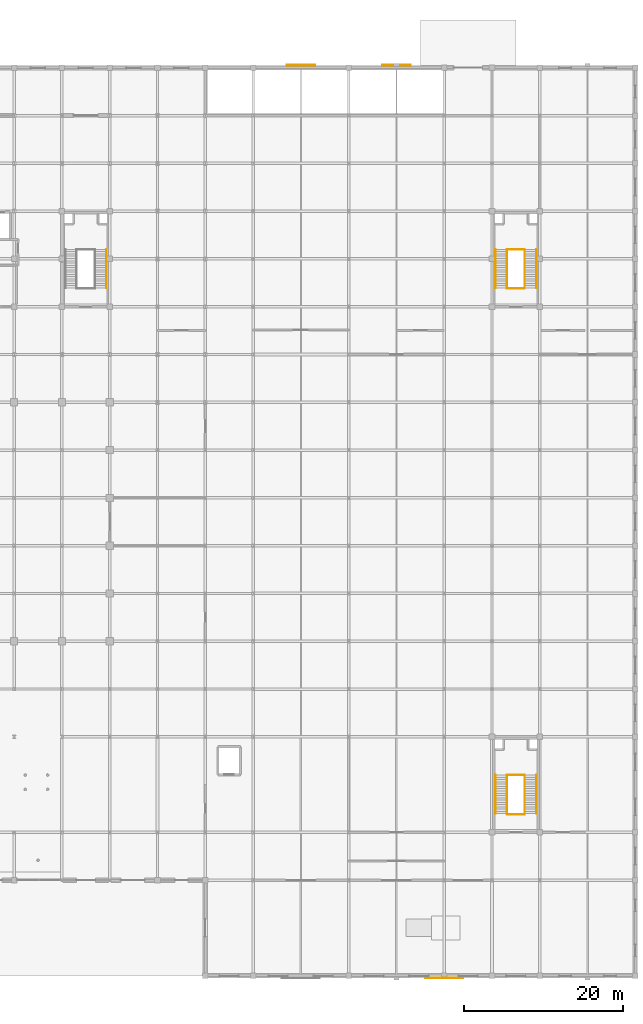
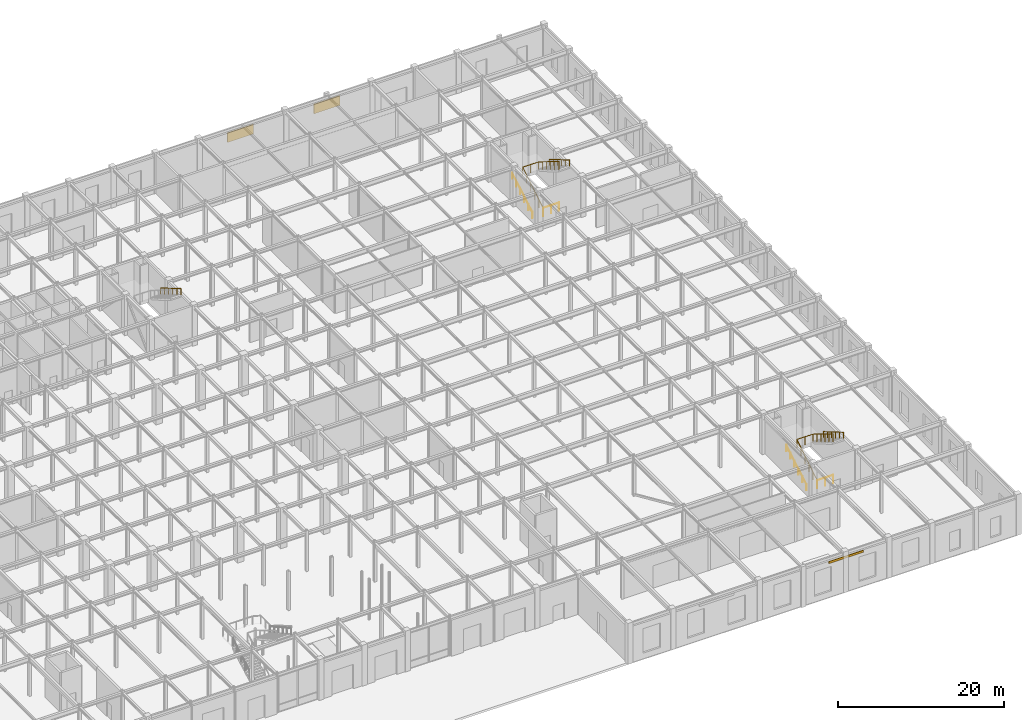
# One storey, part 51 of 51: 9 railings, 2 shading devices, 1 covering.
"""IFC4 building model written with IfcOpenShell, lengths in metres."""

from ifc_helpers import new_model, si_unit, direction, frame, origin, origin_2d, place, context, subcontext, project, spatial, rectangle, circle, extrude, material, layer, layer_set, type_object, element, save


model = new_model("IFC4")

# Units and contexts
model_context = context("Model", 3, precision=1e-05, world=origin(), true_north=direction((0.0, 1.0)))
body_context = subcontext(model_context, "Body", "Model", "MODEL_VIEW")
ifc_project = project(units=[si_unit("LENGTHUNIT", "METRE"), si_unit("AREAUNIT", "SQUARE_METRE"), si_unit("VOLUMEUNIT", "CUBIC_METRE"), si_unit("PLANEANGLEUNIT", "RADIAN"), si_unit("MASSUNIT", "GRAM", prefix="KILO")], contexts=[model_context])

# Site, building, storey
site_placement = place(None, origin())
site = spatial("IfcSite", under=ifc_project, at=site_placement, CompositionType="ELEMENT")
building_placement = place(site_placement, origin())
building = spatial("IfcBuilding", under=site, at=building_placement, Name="Zlatovratsky Civic Hall", CompositionType="ELEMENT")
storey_placement = place(building_placement, origin())
storey = spatial("IfcBuildingStorey", under=building, at=storey_placement, Name="L01", CompositionType="ELEMENT", Elevation=0.0)

# Covering
ifc_material_1 = material(Name="Polished Karelian granite ashlar", Category="masonry")
ifc_layer = layer(ifc_material_1, 0.070068359375)
ifc_layer_set = layer_set([ifc_layer], Name="Polished Karelian granite ashlar")
covering_type = type_object("IfcCoveringType", Name="Covering_PlinthCladding_70", PredefinedType="CLADDING", material=ifc_layer_set)
covering_placement = place(storey_placement, frame((144.0, -0.304931640625, 5.009765625), z_axis=(0.0, 0.0, 1.0), x_axis=(1.0, 0.0, 0.0)))
element("IfcCovering", 1, at=covering_placement, inside=storey, type_object=covering_type, Name="CLD-004", PredefinedType="CLADDING", context=body_context, shape_type="SweptSolid", body=[
    extrude(rectangle(XDim=4.800048828125, YDim=0.070068359375, at=origin_2d()), origin(), (0.0, 0.0, 1.0), 0.300048828125),
])

# Shading devices
ifc_material_2 = material(Name="Anodised bronze aluminium", Category="aluminium")
shading_device_type = type_object("IfcShadingDeviceType", Name="Louvre_BronzeAcoustic", PredefinedType="SHUTTER", material=ifc_material_2)
for number, where, z_axis, x_axis, name in (
    (2, (126.0, 114.330078125, 3.5), (0.0, 0.0, 1.0), (1.0, 0.0, 0.0), "LV-07"),
    (3, (138.0, 114.330078125, 3.5), (0.0, 0.0, 1.0), (1.0, 0.0, 0.0), "LV-08"),
):
    element("IfcShadingDevice", number, at=place(storey_placement, frame(where, z_axis=z_axis, x_axis=x_axis)), inside=storey, type_object=shading_device_type, Name=name, PredefinedType="SHUTTER", context=body_context, shape_type="SweptSolid", body=[
        extrude(rectangle(XDim=3.60009765625, YDim=0.1201171875, at=origin_2d()), origin(), (0.0, 0.0, 1.0), 1.39990234375),
    ])

# Railings
ifc_material_3 = material(Name="Brushed stainless steel AISI 304", Category="steel")
railing_type_1 = type_object("IfcRailingType", Name="Railing_Guardrail_1200", PredefinedType="GUARDRAIL", material=ifc_material_3)
railing_1_placement = place(storey_placement, frame((151.889892578125, 20.35009765625, 0.0)))
element("IfcRailing", 4, at=railing_1_placement, inside=storey, type_object=railing_type_1, Name="RL-0668", PredefinedType="GUARDRAIL", context=body_context, shape_type="SweptSolid", body=[
    extrude(circle(Radius=0.02392578125, at=origin_2d()), frame((0.0, 0.0, 1.17578125), z_axis=(0.0, 0.850207620408, 0.526447530339), x_axis=(-1.0, 0.0, 0.0)), (0.0, 0.0, 1.0), 5.698486328125),
    extrude(circle(Radius=0.02392578125, at=origin_2d()), frame((0.0, 4.844970703125, 4.17578125), z_axis=(1.0, 0.0, 0.0), x_axis=(0.0, 1.0, 0.0)), (0.0, 0.0, 1.0), 2.22021484375),
    extrude(circle(Radius=0.02392578125, at=origin_2d()), frame((2.22021484375, 4.844970703125, 4.17578125), z_axis=(0.0, -0.850207620408, 0.526447530339), x_axis=(1.0, 0.0, 0.0)), (0.0, 0.0, 1.0), 5.698486328125),
    extrude(circle(Radius=0.02099609375, at=origin_2d()), origin(), (0.0, 0.0, 1.0), 1.15185546875),
    extrude(circle(Radius=0.02099609375, at=origin_2d()), frame((0.0, 0.968994140625, 0.60009765625)), (0.0, 0.0, 1.0), 1.15185546875),
    extrude(circle(Radius=0.02099609375, at=origin_2d()), frame((0.0, 1.93798828125, 1.199951171875)), (0.0, 0.0, 1.0), 1.15185546875),
    extrude(circle(Radius=0.02099609375, at=origin_2d()), frame((0.0, 2.906982421875, 1.800048828125)), (0.0, 0.0, 1.0), 1.15185546875),
    extrude(circle(Radius=0.02099609375, at=origin_2d()), frame((0.0, 3.8759765625, 2.39990234375)), (0.0, 0.0, 1.0), 1.15185546875),
    extrude(circle(Radius=0.02099609375, at=origin_2d()), frame((0.0, 4.844970703125, 3.0)), (0.0, 0.0, 1.0), 1.15185546875),
    extrude(circle(Radius=0.02099609375, at=origin_2d()), frame((1.110107421875, 4.844970703125, 3.0)), (0.0, 0.0, 1.0), 1.15185546875),
    extrude(circle(Radius=0.02099609375, at=origin_2d()), frame((2.22021484375, 4.844970703125, 3.0)), (0.0, 0.0, 1.0), 1.15185546875),
    extrude(circle(Radius=0.02099609375, at=origin_2d()), frame((2.22021484375, 3.8759765625, 3.60009765625)), (0.0, 0.0, 1.0), 1.15185546875),
    extrude(circle(Radius=0.02099609375, at=origin_2d()), frame((2.22021484375, 2.906982421875, 4.199951171875)), (0.0, 0.0, 1.0), 1.15185546875),
    extrude(circle(Radius=0.02099609375, at=origin_2d()), frame((2.22021484375, 1.93798828125, 4.800048828125)), (0.0, 0.0, 1.0), 1.15185546875),
    extrude(circle(Radius=0.02099609375, at=origin_2d()), frame((2.22021484375, 0.968994140625, 5.39990234375)), (0.0, 0.0, 1.0), 1.15185546875),
    extrude(circle(Radius=0.02099609375, at=origin_2d()), frame((2.22021484375, 0.0, 6.0)), (0.0, 0.0, 1.0), 1.15185546875),
])
railing_2_placement = place(storey_placement, frame((151.889892578125, 20.27001953125, 0.0)))
element("IfcRailing", 5, at=railing_2_placement, inside=storey, type_object=railing_type_1, Name="RL-0671", PredefinedType="GUARDRAIL", context=body_context, shape_type="SweptSolid", body=[
    extrude(circle(Radius=0.02392578125, at=origin_2d()), frame((0.0, 0.0, 1.17578125), z_axis=(1.0, 0.0, 0.0), x_axis=(0.0, 1.0, 0.0)), (0.0, 0.0, 1.0), 2.22021484375),
    extrude(circle(Radius=0.02099609375, at=origin_2d()), origin(), (0.0, 0.0, 1.0), 1.15185546875),
    extrude(circle(Radius=0.02099609375, at=origin_2d()), frame((1.110107421875, 0.0, 0.0)), (0.0, 0.0, 1.0), 1.15185546875),
    extrude(circle(Radius=0.02099609375, at=origin_2d()), frame((2.22021484375, 0.0, 0.0)), (0.0, 0.0, 1.0), 1.15185546875),
])
railing_3_placement = place(storey_placement, frame((151.889892578125, 86.35009765625, 0.0)))
element("IfcRailing", 6, at=railing_3_placement, inside=storey, type_object=railing_type_1, Name="RL-0700", PredefinedType="GUARDRAIL", context=body_context, shape_type="SweptSolid", body=[
    extrude(circle(Radius=0.02392578125, at=origin_2d()), frame((0.0, 0.0, 1.17578125), z_axis=(0.0, 0.850207620408, 0.526447530339), x_axis=(-1.0, 0.0, 0.0)), (0.0, 0.0, 1.0), 5.698486328125),
    extrude(circle(Radius=0.02392578125, at=origin_2d()), frame((0.0, 4.844970703125, 4.17578125), z_axis=(1.0, 0.0, 0.0), x_axis=(0.0, 1.0, 0.0)), (0.0, 0.0, 1.0), 2.22021484375),
    extrude(circle(Radius=0.02392578125, at=origin_2d()), frame((2.22021484375, 4.844970703125, 4.17578125), z_axis=(0.0, -0.850207620408, 0.526447530339), x_axis=(1.0, 0.0, 0.0)), (0.0, 0.0, 1.0), 5.698486328125),
    extrude(circle(Radius=0.02099609375, at=origin_2d()), origin(), (0.0, 0.0, 1.0), 1.15185546875),
    extrude(circle(Radius=0.02099609375, at=origin_2d()), frame((0.0, 0.968994140625, 0.60009765625)), (0.0, 0.0, 1.0), 1.15185546875),
    extrude(circle(Radius=0.02099609375, at=origin_2d()), frame((0.0, 1.93798828125, 1.199951171875)), (0.0, 0.0, 1.0), 1.15185546875),
    extrude(circle(Radius=0.02099609375, at=origin_2d()), frame((0.0, 2.906982421875, 1.800048828125)), (0.0, 0.0, 1.0), 1.15185546875),
    extrude(circle(Radius=0.02099609375, at=origin_2d()), frame((0.0, 3.8759765625, 2.39990234375)), (0.0, 0.0, 1.0), 1.15185546875),
    extrude(circle(Radius=0.02099609375, at=origin_2d()), frame((0.0, 4.844970703125, 3.0)), (0.0, 0.0, 1.0), 1.15185546875),
    extrude(circle(Radius=0.02099609375, at=origin_2d()), frame((1.110107421875, 4.844970703125, 3.0)), (0.0, 0.0, 1.0), 1.15185546875),
    extrude(circle(Radius=0.02099609375, at=origin_2d()), frame((2.22021484375, 4.844970703125, 3.0)), (0.0, 0.0, 1.0), 1.15185546875),
    extrude(circle(Radius=0.02099609375, at=origin_2d()), frame((2.22021484375, 3.8759765625, 3.60009765625)), (0.0, 0.0, 1.0), 1.15185546875),
    extrude(circle(Radius=0.02099609375, at=origin_2d()), frame((2.22021484375, 2.906982421875, 4.199951171875)), (0.0, 0.0, 1.0), 1.15185546875),
    extrude(circle(Radius=0.02099609375, at=origin_2d()), frame((2.22021484375, 1.93798828125, 4.800048828125)), (0.0, 0.0, 1.0), 1.15185546875),
    extrude(circle(Radius=0.02099609375, at=origin_2d()), frame((2.22021484375, 0.968994140625, 5.39990234375)), (0.0, 0.0, 1.0), 1.15185546875),
    extrude(circle(Radius=0.02099609375, at=origin_2d()), frame((2.22021484375, 0.0, 6.0)), (0.0, 0.0, 1.0), 1.15185546875),
])
railing_4_placement = place(storey_placement, frame((151.889892578125, 86.27001953125, 0.0)))
element("IfcRailing", 7, at=railing_4_placement, inside=storey, type_object=railing_type_1, Name="RL-0703", PredefinedType="GUARDRAIL", context=body_context, shape_type="SweptSolid", body=[
    extrude(circle(Radius=0.02392578125, at=origin_2d()), frame((0.0, 0.0, 1.17578125), z_axis=(1.0, 0.0, 0.0), x_axis=(0.0, 1.0, 0.0)), (0.0, 0.0, 1.0), 2.22021484375),
    extrude(circle(Radius=0.02099609375, at=origin_2d()), origin(), (0.0, 0.0, 1.0), 1.15185546875),
    extrude(circle(Radius=0.02099609375, at=origin_2d()), frame((1.110107421875, 0.0, 0.0)), (0.0, 0.0, 1.0), 1.15185546875),
    extrude(circle(Radius=0.02099609375, at=origin_2d()), frame((2.22021484375, 0.0, 0.0)), (0.0, 0.0, 1.0), 1.15185546875),
])
railing_type_2 = type_object("IfcRailingType", Name="Railing_Handrail_900", PredefinedType="HANDRAIL", material=ifc_material_3)
railing_5_placement = place(storey_placement, frame((101.570068359375, 91.195068359375, 3.1669921875)))
element("IfcRailing", 8, at=railing_5_placement, inside=storey, type_object=railing_type_2, Name="RL-0582", PredefinedType="HANDRAIL", context=body_context, shape_type="SweptSolid", body=[
    extrude(circle(Radius=0.02392578125, at=origin_2d()), frame((0.0, 0.0, 0.8759765625), z_axis=(0.0, -0.86325305323, 0.504771399833), x_axis=(1.0, 0.0, 0.0)), (0.0, 0.0, 1.0), 5.612548828125),
    extrude(circle(Radius=0.02099609375, at=origin_2d()), origin(), (0.0, 0.0, 1.0), 0.851806640625),
    extrude(circle(Radius=0.02099609375, at=origin_2d()), frame((0.0, -0.968994140625, 0.566650390625)), (0.0, 0.0, 1.0), 0.851806640625),
    extrude(circle(Radius=0.02099609375, at=origin_2d()), frame((0.0, -1.93798828125, 1.13330078125)), (0.0, 0.0, 1.0), 0.851806640625),
    extrude(circle(Radius=0.02099609375, at=origin_2d()), frame((0.0, -2.906982421875, 1.69970703125)), (0.0, 0.0, 1.0), 0.851806640625),
    extrude(circle(Radius=0.02099609375, at=origin_2d()), frame((0.0, -3.8759765625, 2.266357421875)), (0.0, 0.0, 1.0), 0.851806640625),
    extrude(circle(Radius=0.02099609375, at=origin_2d()), frame((0.0, -4.844970703125, 2.8330078125)), (0.0, 0.0, 1.0), 0.851806640625),
])
railing_6_placement = place(storey_placement, frame((150.429931640625, 20.35009765625, 0.1669921875)))
element("IfcRailing", 9, at=railing_6_placement, inside=storey, type_object=railing_type_2, Name="RL-0669", PredefinedType="HANDRAIL", context=body_context, shape_type="SweptSolid", body=[
    extrude(circle(Radius=0.02392578125, at=origin_2d()), frame((0.0, 0.0, 0.8759765625), z_axis=(0.0, 0.86325305323, 0.504771399833), x_axis=(-1.0, 0.0, 0.0)), (0.0, 0.0, 1.0), 5.612548828125),
    extrude(circle(Radius=0.02099609375, at=origin_2d()), origin(), (0.0, 0.0, 1.0), 0.851806640625),
    extrude(circle(Radius=0.02099609375, at=origin_2d()), frame((0.0, 0.968994140625, 0.566650390625)), (0.0, 0.0, 1.0), 0.851806640625),
    extrude(circle(Radius=0.02099609375, at=origin_2d()), frame((0.0, 1.93798828125, 1.13330078125)), (0.0, 0.0, 1.0), 0.851806640625),
    extrude(circle(Radius=0.02099609375, at=origin_2d()), frame((0.0, 2.906982421875, 1.69970703125)), (0.0, 0.0, 1.0), 0.851806640625),
    extrude(circle(Radius=0.02099609375, at=origin_2d()), frame((0.0, 3.8759765625, 2.266357421875)), (0.0, 0.0, 1.0), 0.851806640625),
    extrude(circle(Radius=0.02099609375, at=origin_2d()), frame((0.0, 4.844970703125, 2.8330078125)), (0.0, 0.0, 1.0), 0.851806640625),
])
railing_7_placement = place(storey_placement, frame((155.570068359375, 25.195068359375, 3.1669921875)))
element("IfcRailing", 10, at=railing_7_placement, inside=storey, type_object=railing_type_2, Name="RL-0670", PredefinedType="HANDRAIL", context=body_context, shape_type="SweptSolid", body=[
    extrude(circle(Radius=0.02392578125, at=origin_2d()), frame((0.0, 0.0, 0.8759765625), z_axis=(0.0, -0.86325305323, 0.504771399833), x_axis=(1.0, 0.0, 0.0)), (0.0, 0.0, 1.0), 5.612548828125),
    extrude(circle(Radius=0.02099609375, at=origin_2d()), origin(), (0.0, 0.0, 1.0), 0.851806640625),
    extrude(circle(Radius=0.02099609375, at=origin_2d()), frame((0.0, -0.968994140625, 0.566650390625)), (0.0, 0.0, 1.0), 0.851806640625),
    extrude(circle(Radius=0.02099609375, at=origin_2d()), frame((0.0, -1.93798828125, 1.13330078125)), (0.0, 0.0, 1.0), 0.851806640625),
    extrude(circle(Radius=0.02099609375, at=origin_2d()), frame((0.0, -2.906982421875, 1.69970703125)), (0.0, 0.0, 1.0), 0.851806640625),
    extrude(circle(Radius=0.02099609375, at=origin_2d()), frame((0.0, -3.8759765625, 2.266357421875)), (0.0, 0.0, 1.0), 0.851806640625),
    extrude(circle(Radius=0.02099609375, at=origin_2d()), frame((0.0, -4.844970703125, 2.8330078125)), (0.0, 0.0, 1.0), 0.851806640625),
])
railing_8_placement = place(storey_placement, frame((150.429931640625, 86.35009765625, 0.1669921875)))
element("IfcRailing", 11, at=railing_8_placement, inside=storey, type_object=railing_type_2, Name="RL-0701", PredefinedType="HANDRAIL", context=body_context, shape_type="SweptSolid", body=[
    extrude(circle(Radius=0.02392578125, at=origin_2d()), frame((0.0, 0.0, 0.8759765625), z_axis=(0.0, 0.86325305323, 0.504771399833), x_axis=(-1.0, 0.0, 0.0)), (0.0, 0.0, 1.0), 5.612548828125),
    extrude(circle(Radius=0.02099609375, at=origin_2d()), origin(), (0.0, 0.0, 1.0), 0.851806640625),
    extrude(circle(Radius=0.02099609375, at=origin_2d()), frame((0.0, 0.968994140625, 0.566650390625)), (0.0, 0.0, 1.0), 0.851806640625),
    extrude(circle(Radius=0.02099609375, at=origin_2d()), frame((0.0, 1.93798828125, 1.13330078125)), (0.0, 0.0, 1.0), 0.851806640625),
    extrude(circle(Radius=0.02099609375, at=origin_2d()), frame((0.0, 2.906982421875, 1.69970703125)), (0.0, 0.0, 1.0), 0.851806640625),
    extrude(circle(Radius=0.02099609375, at=origin_2d()), frame((0.0, 3.8759765625, 2.266357421875)), (0.0, 0.0, 1.0), 0.851806640625),
    extrude(circle(Radius=0.02099609375, at=origin_2d()), frame((0.0, 4.844970703125, 2.8330078125)), (0.0, 0.0, 1.0), 0.851806640625),
])
railing_9_placement = place(storey_placement, frame((155.570068359375, 91.195068359375, 3.1669921875)))
element("IfcRailing", 12, at=railing_9_placement, inside=storey, type_object=railing_type_2, Name="RL-0702", PredefinedType="HANDRAIL", context=body_context, shape_type="SweptSolid", body=[
    extrude(circle(Radius=0.02392578125, at=origin_2d()), frame((0.0, 0.0, 0.8759765625), z_axis=(0.0, -0.86325305323, 0.504771399833), x_axis=(1.0, 0.0, 0.0)), (0.0, 0.0, 1.0), 5.612548828125),
    extrude(circle(Radius=0.02099609375, at=origin_2d()), origin(), (0.0, 0.0, 1.0), 0.851806640625),
    extrude(circle(Radius=0.02099609375, at=origin_2d()), frame((0.0, -0.968994140625, 0.566650390625)), (0.0, 0.0, 1.0), 0.851806640625),
    extrude(circle(Radius=0.02099609375, at=origin_2d()), frame((0.0, -1.93798828125, 1.13330078125)), (0.0, 0.0, 1.0), 0.851806640625),
    extrude(circle(Radius=0.02099609375, at=origin_2d()), frame((0.0, -2.906982421875, 1.69970703125)), (0.0, 0.0, 1.0), 0.851806640625),
    extrude(circle(Radius=0.02099609375, at=origin_2d()), frame((0.0, -3.8759765625, 2.266357421875)), (0.0, 0.0, 1.0), 0.851806640625),
    extrude(circle(Radius=0.02099609375, at=origin_2d()), frame((0.0, -4.844970703125, 2.8330078125)), (0.0, 0.0, 1.0), 0.851806640625),
])

save(model, "model.ifc")
